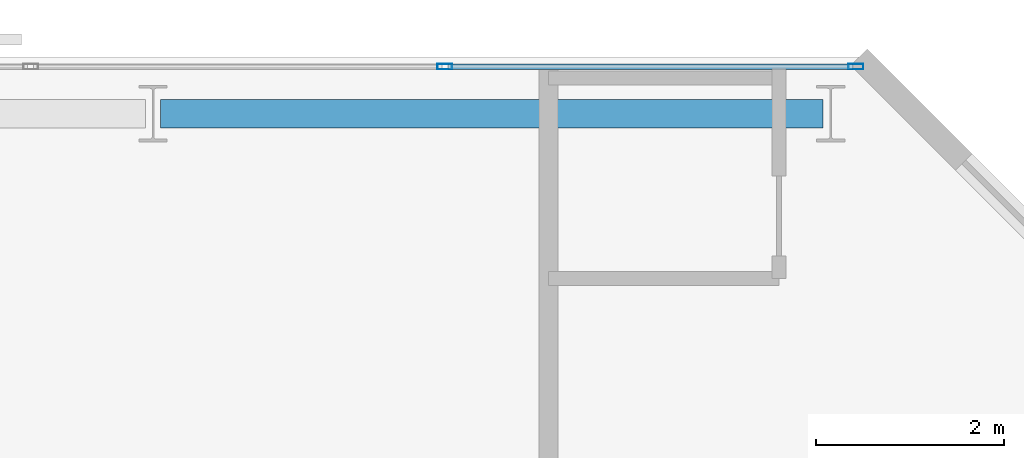
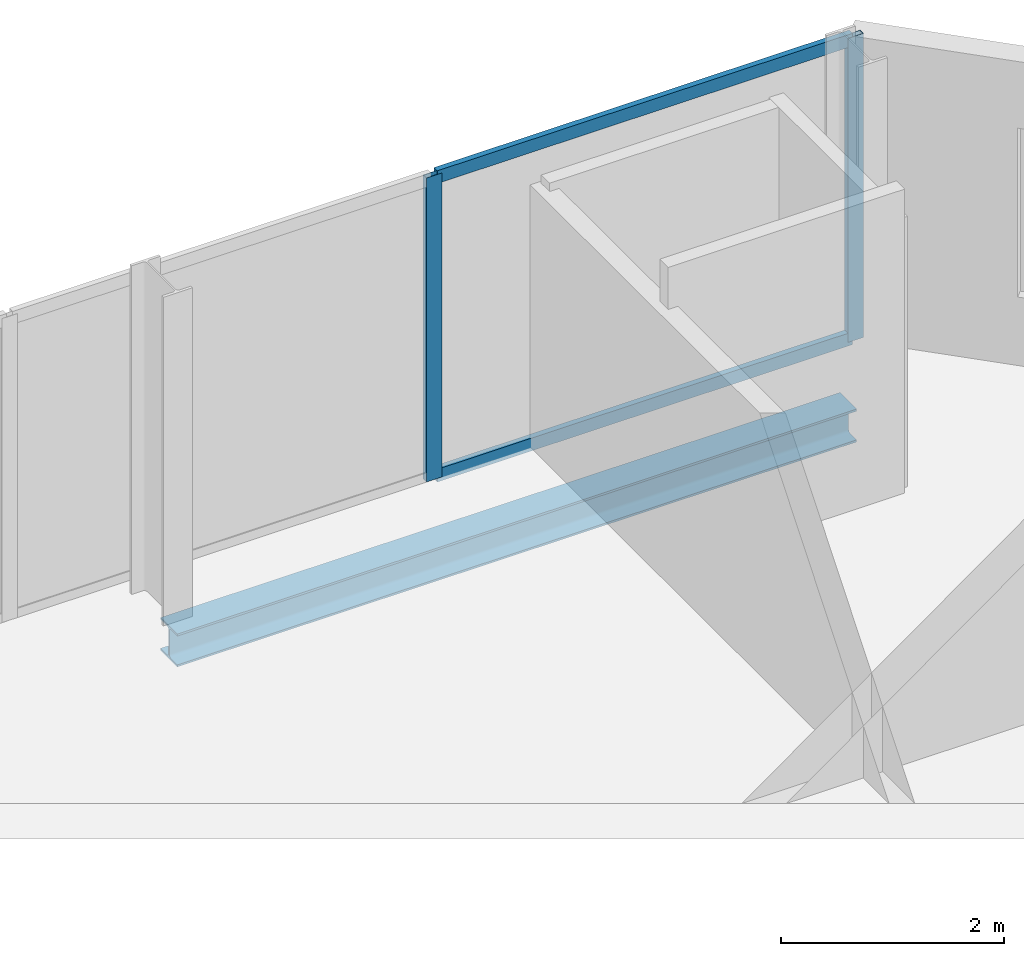
# One storey, part 25 of 32: 4 members, 1 beam, 1 element without a shape of its own.
"""IFC4 building model written with IfcOpenShell, lengths in metres."""

from ifc_helpers import new_model, si_unit, direction, frame, origin, origin_2d, place, context, subcontext, project, spatial, hollow_rectangle, i_section, extrude, material, layer, layer_set, material_profile, profile_set, type_object, element, aggregate, save


model = new_model("IFC4")

# Units and contexts
model_context = context("Model", 3, precision=1e-05, world=origin(), true_north=direction((0.0, 1.0)))
body_context = subcontext(model_context, "Body", "Model", "MODEL_VIEW")
ifc_project = project(units=[si_unit("LENGTHUNIT", "METRE"), si_unit("AREAUNIT", "SQUARE_METRE"), si_unit("VOLUMEUNIT", "CUBIC_METRE"), si_unit("PLANEANGLEUNIT", "RADIAN"), si_unit("MASSUNIT", "GRAM", prefix="KILO")], contexts=[model_context])

# Site, building, storey
site_placement = place(None, origin())
site = spatial("IfcSite", under=ifc_project, at=site_placement, CompositionType="ELEMENT")
building_placement = place(site_placement, origin())
building = spatial("IfcBuilding", under=site, at=building_placement, Name="Catumbela Crestline Tower", CompositionType="ELEMENT")
storey_placement = place(building_placement, frame((0.0, 0.0, 129.6)))
storey = spatial("IfcBuildingStorey", under=building, at=storey_placement, Name="L33", CompositionType="ELEMENT", Elevation=129.6)

# Curtain wall, members
ifc_material_1 = material(Name="Aluminium alloy AW-6060-T66", Category="aluminium")
ifc_layer = layer(ifc_material_1, 0.18, Name="Aluminium alloy AW-6060-T66")
ifc_layer_set = layer_set([ifc_layer], Name="Aluminium alloy AW-6060-T66")
curtain_wall_type = type_object("IfcCurtainWallType", Name="CWU-Z2", PredefinedType="USERDEFINED", material=ifc_layer_set)
curtain_wall_placement = place(storey_placement, origin())
curtain_wall = element("IfcCurtainWall", 1, at=curtain_wall_placement, inside=storey, type_object=curtain_wall_type, Name="L33 Unitised Curtain Wall CW-L33-E7S1", ObjectType="UNITISED", PredefinedType="USERDEFINED")
ifc_material_profile_1 = material_profile(ifc_material_1, hollow_rectangle(XDim=0.06, YDim=0.16, WallThickness=0.004, at=origin_2d()), Name="ALU 160x60x4")
ifc_profile_set_1 = profile_set([ifc_material_profile_1], Name="Aluminium alloy AW-6060-T66")
member_type_1 = type_object("IfcMemberType", Name="MUL-160X60", PredefinedType="MULLION", material=ifc_profile_set_1)
member_1_placement = place(storey_placement, frame((47.4675, 47.9, 0.0), z_axis=(0.0, 0.0, 1.0), x_axis=(0.0, -1.0, 0.0)))
member_1 = element("IfcMember", 2, at=member_1_placement, type_object=member_type_1, Name="CWU-Z2 mullion 1", PredefinedType="MULLION", context=body_context, shape_type="SweptSolid", body=[
    extrude(hollow_rectangle(XDim=0.06, YDim=0.16, WallThickness=0.004, at=origin_2d()), origin(), (0.0, 0.0, 1.0), 3.33),
])
member_2_placement = place(storey_placement, frame((43.1, 47.9, 0.0), z_axis=(0.0, 0.0, 1.0), x_axis=(0.0, -1.0, 0.0)))
member_2 = element("IfcMember", 3, at=member_2_placement, type_object=member_type_1, Name="CWU-Z2 mullion 2", PredefinedType="MULLION", context=body_context, shape_type="SweptSolid", body=[
    extrude(hollow_rectangle(XDim=0.06, YDim=0.16, WallThickness=0.004, at=origin_2d()), origin(), (0.0, 0.0, 1.0), 3.33),
])

# Beam
ifc_material_2 = material(Name="Structural steel S355J2", Category="steel")
ifc_material_profile_2 = material_profile(ifc_material_2, i_section(OverallWidth=0.3, OverallDepth=0.36, WebThickness=0.0125, FlangeThickness=0.0225, FilletRadius=0.027, at=origin_2d()), Name="HEB 360")
ifc_profile_set_2 = profile_set([ifc_material_profile_2], Name="Structural steel S355J2")
beam_type = type_object("IfcBeamType", Name="BS-HEB360", PredefinedType="SPANDREL", material=ifc_profile_set_2)
beam_placement = place(storey_placement, frame((40.08, 47.4, -0.44), z_axis=(1.0, 0.0, 0.0), x_axis=(0.0, 1.0, 0.0)))
element("IfcBeam", 4, at=beam_placement, inside=storey, type_object=beam_type, Name="L33 Spandrel SP-L33-NF21", PredefinedType="SPANDREL", context=body_context, shape_type="SweptSolid", body=[
    extrude(i_section(OverallWidth=0.3, OverallDepth=0.36, WebThickness=0.0125, FlangeThickness=0.0225, FilletRadius=0.027, at=origin_2d()), origin(), (0.0, 0.0, 1.0), 7.04),
])

# Member
ifc_material_profile_3 = material_profile(ifc_material_1, hollow_rectangle(XDim=0.06, YDim=0.14, WallThickness=0.004, at=origin_2d()), Name="ALU 140x60x4")
ifc_profile_set_3 = profile_set([ifc_material_profile_3], Name="Aluminium alloy AW-6060-T66")
member_type_2 = type_object("IfcMemberType", Name="TRN-140X60", PredefinedType="USERDEFINED", material=ifc_profile_set_3)
member_3_placement = place(storey_placement, frame((47.435, 47.9, 0.03), z_axis=(-1.0, 0.0, 0.0), x_axis=(0.0, -1.0, 0.0)))
member_3 = element("IfcMember", 5, at=member_3_placement, type_object=member_type_2, Name="CWU-Z2 transom 1.1", ObjectType="TRANSOM", PredefinedType="USERDEFINED", context=body_context, shape_type="SweptSolid", body=[
    extrude(hollow_rectangle(XDim=0.06, YDim=0.14, WallThickness=0.004, at=origin_2d()), origin(), (0.0, 0.0, 1.0), 4.3025),
])

member_4_placement = place(storey_placement, frame((47.435, 47.9, 3.3), z_axis=(-1.0, 0.0, 0.0), x_axis=(0.0, -1.0, 0.0)))
member_4 = element("IfcMember", 6, at=member_4_placement, type_object=member_type_2, Name="CWU-Z2 transom 1.2", ObjectType="TRANSOM", PredefinedType="USERDEFINED", context=body_context, shape_type="SweptSolid", body=[
    extrude(hollow_rectangle(XDim=0.06, YDim=0.14, WallThickness=0.004, at=origin_2d()), origin(), (0.0, 0.0, 1.0), 4.3025),
])

aggregate(curtain_wall, [member_1, member_2, member_3, member_4])

save(model, "model.ifc")
